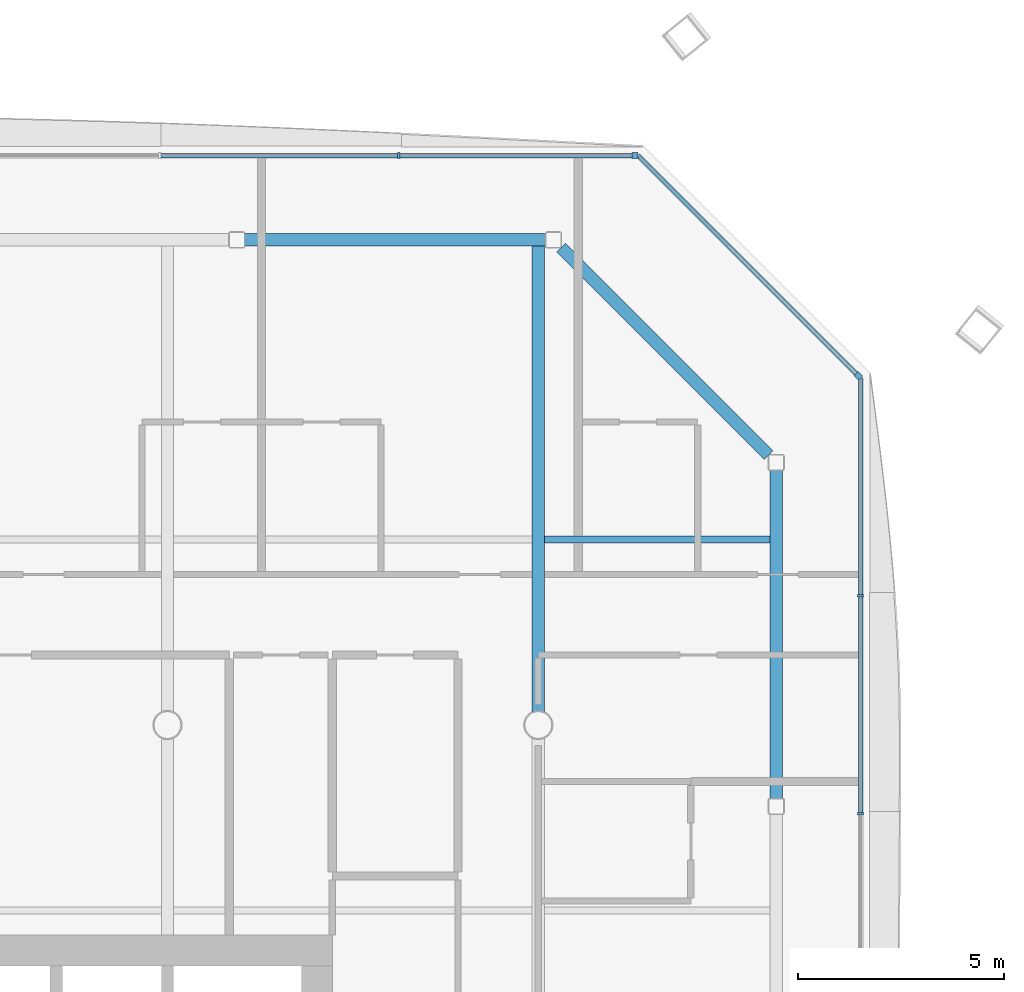
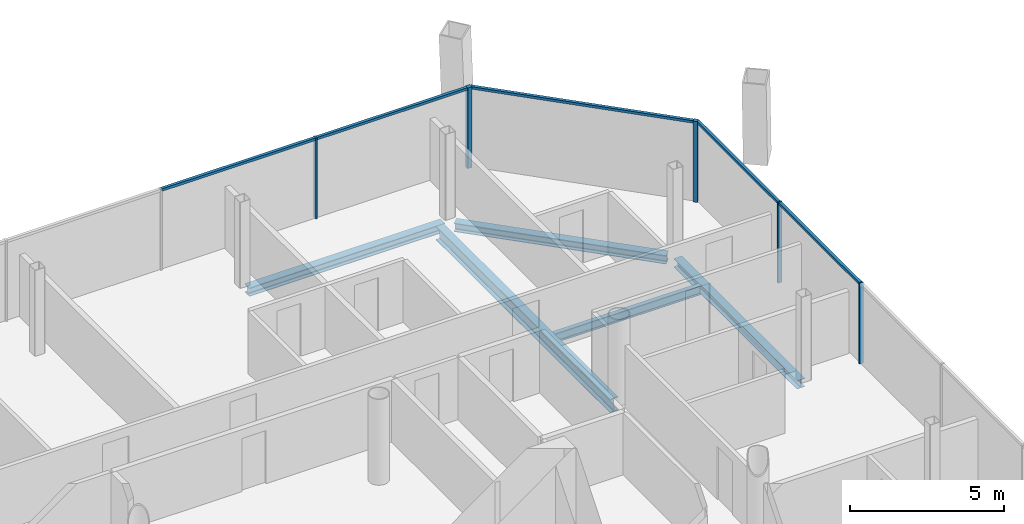
# One storey, part 10 of 21: 10 members, 5 beams, 3 elements without a shape of their own.
"""IFC4 building model written with IfcOpenShell, lengths in metres."""

import ifcopenshell
import ifcopenshell.guid

model = None  # the IFC model being written
_history = None  # IfcOwnerHistory: only IFC2X3 demands one
_inside = {}  # id of a spatial element -> (the spatial element, [elements in it])
_under = {}  # id of a project, library or spatial element -> (it, [spatial elements below it])
_declared = {}  # id of a project -> (the project, [libraries it declares])
_typed = {}  # id of a type object -> (the type object, [elements of that type])
_made_of = {}  # id of a material, layer set ... -> (it, [elements and type objects made of it])


def new_model(schema):
    """Start an empty IFC model of exactly this schema.

    Asked for "IFC4X3", IfcOpenShell would pick the latest addendum, in which some entities
    have other attributes; the version numbers below select the first issue.
    IFC2X3 requires an IfcOwnerHistory on every rooted entity: one is made here for all.
    """
    global model, _history
    if schema == "IFC4X3":
        model = ifcopenshell.file(schema_version=(4, 3, 0, 0))
    else:
        model = ifcopenshell.file(schema=schema)
    _inside.clear()
    _under.clear()
    _declared.clear()
    _typed.clear()
    _made_of.clear()
    _history = None
    if model.schema == "IFC2X3":
        org = make("IfcOrganization", Name="unknown")
        user = make(
            "IfcPersonAndOrganization",
            ThePerson=make("IfcPerson", FamilyName="unknown"),
            TheOrganization=org,
        )
        app = make(
            "IfcApplication",
            ApplicationDeveloper=org,
            Version="unknown",
            ApplicationFullName="unknown",
            ApplicationIdentifier="unknown",
        )
        _history = make(
            "IfcOwnerHistory",
            OwningUser=user,
            OwningApplication=app,
            ChangeAction="ADDED",
            CreationDate=0,
        )
    return model


def make(cls, **values):
    """One entity of the class cls with the attributes given. An attribute that is None is left unset."""
    return model.create_entity(
        cls, **{name: value for name, value in values.items() if value is not None}
    )


def rooted(cls, **values):
    """An entity with a GlobalId (a new one), such as an element, a storey or a relation."""
    return make(cls, GlobalId=ifcopenshell.guid.new(), OwnerHistory=_history, **values)


def si_unit(unit_type, name, prefix=None):
    """IfcSIUnit, for example si_unit("LENGTHUNIT", "METRE", prefix="MILLI")."""
    return make("IfcSIUnit", UnitType=unit_type, Prefix=prefix, Name=name)


def assignment(units):
    """IfcUnitAssignment: the units of a project."""
    return None if units is None else make("IfcUnitAssignment", Units=units)


def point(xyz):
    """IfcCartesianPoint."""
    return None if xyz is None else make("IfcCartesianPoint", Coordinates=xyz)


def direction(xyz):
    """IfcDirection."""
    return None if xyz is None else make("IfcDirection", DirectionRatios=xyz)


def frame(location, z_axis=None, x_axis=None):
    """IfcAxis2Placement3D, a coordinate frame: its origin and axes. An axis left out is left unset."""
    return make(
        "IfcAxis2Placement3D",
        Location=point(location),
        Axis=direction(z_axis),
        RefDirection=direction(x_axis),
    )


def frame_2d(location, x_axis=None):
    """IfcAxis2Placement2D, a coordinate frame in the plane: its origin and x axis."""
    return make(
        "IfcAxis2Placement2D", Location=point(location), RefDirection=direction(x_axis)
    )


def origin():
    """The frame at (0, 0, 0) with its axes left unset."""
    return frame((0.0, 0.0, 0.0))


def origin_2d():
    """The frame at (0, 0) in the plane with its x axis left unset."""
    return frame_2d((0.0, 0.0))


def place(relative_to, where):
    """IfcLocalPlacement: puts the frame where relative to a parent placement (None: the world)."""
    return make(
        "IfcLocalPlacement", PlacementRelTo=relative_to, RelativePlacement=where
    )


def context(
    kind, dimensions, precision=None, world=None, true_north=None, identifier=None
):
    """IfcGeometricRepresentationContext, for example the 3D "Model" context."""
    return make(
        "IfcGeometricRepresentationContext",
        ContextIdentifier=identifier,
        ContextType=kind,
        CoordinateSpaceDimension=dimensions,
        Precision=precision,
        WorldCoordinateSystem=world,
        TrueNorth=true_north,
    )


def subcontext(parent, identifier, kind, view, scale=None):
    """IfcGeometricRepresentationSubContext, for example "Body" below "Model"."""
    return make(
        "IfcGeometricRepresentationSubContext",
        ContextIdentifier=identifier,
        ContextType=kind,
        ParentContext=parent,
        TargetScale=scale,
        TargetView=view,
    )


def project(units=None, contexts=None):
    """IfcProject with its units and contexts."""
    return rooted(
        "IfcProject",
        Name="project",
        RepresentationContexts=contexts,
        UnitsInContext=assignment(units),
    )


def spatial(cls, under=None, at=None, **own):
    """A site, building, storey or space (cls), placed at a placement, below another one or the project."""
    s = rooted(cls, ObjectPlacement=at, **own)
    if under is not None:
        _under.setdefault(under.id(), (under, []))[1].append(s)
    return s


def profile(cls, at=None, kind="AREA", **sizes):
    """A parametric profile (cls). Its sizes go by their IFC names, for example OverallWidth=200.0."""
    return make(cls, ProfileType=kind, Position=at, **sizes)


def rectangle(**sizes):
    """IfcRectangleProfileDef."""
    return profile("IfcRectangleProfileDef", **sizes)


def i_section(**sizes):
    """IfcIShapeProfileDef."""
    return profile("IfcIShapeProfileDef", **sizes)


def extrude(swept, where, along, depth):
    """IfcExtrudedAreaSolid: the profile swept, set in the frame where, extruded along a direction by depth."""
    return make(
        "IfcExtrudedAreaSolid",
        SweptArea=swept,
        Position=where,
        ExtrudedDirection=direction(along),
        Depth=depth,
    )


def shape(context_of_items, identifier, shape_type, items):
    """IfcShapeRepresentation: the items that make up one representation, for example the "Body"."""
    return make(
        "IfcShapeRepresentation",
        ContextOfItems=context_of_items,
        RepresentationIdentifier=identifier,
        RepresentationType=shape_type,
        Items=items,
    )


def material(Name=None, Category=None):
    """IfcMaterial."""
    return make("IfcMaterial", Name=Name, Category=Category)


def material_profile(
    of_material, cross_section, Name=None, Category=None, Priority=None
):
    """IfcMaterialProfile: a cross section and its material."""
    return make(
        "IfcMaterialProfile",
        Name=Name,
        Material=of_material,
        Profile=cross_section,
        Priority=Priority,
        Category=Category,
    )


def profile_set(profiles, Name=None, composite=None):
    """IfcMaterialProfileSet."""
    return make(
        "IfcMaterialProfileSet",
        Name=Name,
        MaterialProfiles=profiles,
        CompositeProfile=composite,
    )


def made_of(thing, what):
    """Note that an element or type object is made of a material, layer set ...; save() writes the relation."""
    if what is not None:
        _made_of.setdefault(what.id(), (what, []))[1].append(thing)
    return thing


def type_object(cls, material=None, **own):
    """A type object (cls), such as IfcWallType, which elements share."""
    return made_of(rooted(cls, **own), material)


def element(
    cls,
    number,
    at=None,
    inside=None,
    cuts=None,
    type_object=None,
    material=None,
    context=None,
    identifier="Body",
    shape_type=None,
    held_by="IfcProductDefinitionShape",
    body=None,
    shapes=None,
    **own,
):
    """One element of the class cls, such as IfcWall. Its Tag is "e" and its number.

    at: its placement. inside: the storey or other place that contains it. cuts: it is an
    opening in that element (IfcRelVoidsElement). A single representation is given by context,
    identifier, shape_type and body (its items); several are given by shapes. held_by: the class
    of the entity that holds the representations. save() writes the other relations.
    """
    e = rooted(cls, Tag="e%d" % number, ObjectPlacement=at, **own)
    if body is not None:
        shapes = [shape(context, identifier, shape_type, body)]
    if shapes is not None:
        e.Representation = make(held_by, Representations=shapes)
    if inside is not None:
        _inside.setdefault(inside.id(), (inside, []))[1].append(e)
    if cuts is not None:
        rooted(
            "IfcRelVoidsElement", RelatingBuildingElement=cuts, RelatedOpeningElement=e
        )
    if type_object is not None:
        _typed.setdefault(type_object.id(), (type_object, []))[1].append(e)
    return made_of(e, material)


def aggregate(whole, parts):
    """IfcRelAggregates: a whole, such as a stair, and the parts it consists of."""
    return rooted("IfcRelAggregates", RelatingObject=whole, RelatedObjects=parts)


def save(model, path):
    """Write the relations noted so far, then the file.

    IfcRelAggregates (storeys below a building ...), IfcRelContainedInSpatialStructure (elements
    in a storey), IfcRelDefinesByType, IfcRelAssociatesMaterial and IfcRelDeclares: one each for
    every whole, place, type object, material and project.
    """
    for whole, parts in _under.values():
        aggregate(whole, parts)
    for where, things in _inside.values():
        rooted(
            "IfcRelContainedInSpatialStructure",
            RelatedElements=things,
            RelatingStructure=where,
        )
    for kind, things in _typed.values():
        rooted("IfcRelDefinesByType", RelatedObjects=things, RelatingType=kind)
    for what, things in _made_of.values():
        rooted("IfcRelAssociatesMaterial", RelatedObjects=things, RelatingMaterial=what)
    for by, libraries in _declared.values():
        rooted("IfcRelDeclares", RelatingContext=by, RelatedDefinitions=libraries)
    model.write(path)


model = new_model("IFC4")

# Units and contexts
model_context = context("Model", 3, precision=1e-05, world=origin(), true_north=direction((0.0, 1.0)))
body_context = subcontext(model_context, "Body", "Model", "MODEL_VIEW")
ifc_project = project(units=[si_unit("LENGTHUNIT", "METRE"), si_unit("AREAUNIT", "SQUARE_METRE"), si_unit("VOLUMEUNIT", "CUBIC_METRE"), si_unit("PLANEANGLEUNIT", "RADIAN"), si_unit("MASSUNIT", "GRAM", prefix="KILO")], contexts=[model_context])

# Site, building, storey
site_placement = place(None, origin())
site = spatial("IfcSite", under=ifc_project, at=site_placement, CompositionType="ELEMENT")
building_placement = place(site_placement, origin())
building = spatial("IfcBuilding", under=site, at=building_placement, Name="Tskaro Facet Tower", CompositionType="ELEMENT")
storey_placement = place(building_placement, frame((0.0, 0.0, 135.10009765625)))
storey = spatial("IfcBuildingStorey", under=building, at=storey_placement, Name="L32", CompositionType="ELEMENT", Elevation=135.10009765625)

# Curtain wall, member
ifc_material_1 = material(Name="Bronze anodised aluminium 6063-T6", Category="aluminium")
curtain_wall_type = type_object("IfcCurtainWallType", Name="Bronze hotel curtain wall (FW2)", PredefinedType="NOTDEFINED", material=ifc_material_1)
curtain_wall_1_placement = place(storey_placement, origin())
curtain_wall_1 = element("IfcCurtainWall", 1, at=curtain_wall_1_placement, inside=storey, type_object=curtain_wall_type, Name="FW2 north-east facet L32", PredefinedType="NOTDEFINED")
ifc_material_profile_1 = material_profile(ifc_material_1, rectangle(XDim=0.14990234375, YDim=0.14990234375, at=origin_2d()), Name="Corner post 150x150")
ifc_profile_set_1 = profile_set([ifc_material_profile_1], Name="Bronze anodised aluminium 6063-T6")
member_type_1 = type_object("IfcMemberType", Name="FW2 bronze corner post 150x150", PredefinedType="MULLION", material=ifc_profile_set_1)
member_1_placement = place(storey_placement, frame((25.766845703125, 17.47509765625, 0.0), z_axis=(0.0, 0.0, 1.0), x_axis=(-0.707106781187, 0.707106781187, 0.0)))
member_1 = element("IfcMember", 2, at=member_1_placement, type_object=member_type_1, Name="FW2 north-east corner post", PredefinedType="MULLION", context=body_context, shape_type="SweptSolid", body=[
    extrude(rectangle(XDim=0.14990234375, YDim=0.14990234375, at=origin_2d()), origin(), (0.0, 0.0, 1.0), 3.199951171875),
])

curtain_wall_2_placement = place(storey_placement, origin())
curtain_wall_2 = element("IfcCurtainWall", 3, at=curtain_wall_2_placement, inside=storey, type_object=curtain_wall_type, Name="FW2 north facet L32", PredefinedType="NOTDEFINED")
member_2_placement = place(storey_placement, frame((20.346923828125, 22.820068359375, 0.0), z_axis=(0.0, 0.0, 1.0), x_axis=(-1.0, 0.0, 0.0)))
member_2 = element("IfcMember", 4, at=member_2_placement, type_object=member_type_1, Name="FW2 north corner post", PredefinedType="MULLION", context=body_context, shape_type="SweptSolid", body=[
    extrude(rectangle(XDim=0.14990234375, YDim=0.14990234375, at=origin_2d()), origin(), (0.0, 0.0, 1.0), 3.199951171875),
])

# Curtain wall, members
curtain_wall_3_placement = place(storey_placement, origin())
curtain_wall_3 = element("IfcCurtainWall", 5, at=curtain_wall_3_placement, inside=storey, type_object=curtain_wall_type, Name="FW2 east facet L32", PredefinedType="NOTDEFINED")
ifc_material_profile_2 = material_profile(ifc_material_1, rectangle(XDim=0.06005859375, YDim=0.14990234375, at=origin_2d()), Name="Mullion 60x150")
ifc_profile_set_2 = profile_set([ifc_material_profile_2], Name="Bronze anodised aluminium 6063-T6")
member_type_2 = type_object("IfcMemberType", Name="FW2 bronze mullion 60x150", PredefinedType="MULLION", material=ifc_profile_set_2)
member_3_placement = place(storey_placement, frame((25.820068359375, 6.851806640625, 0.0), z_axis=(0.0, 0.0, 1.0), x_axis=(0.0, 1.0, 0.0)))
member_3 = element("IfcMember", 6, at=member_3_placement, type_object=member_type_2, Name="FW2 east mullion 5", PredefinedType="MULLION", context=body_context, shape_type="SweptSolid", body=[
    extrude(rectangle(XDim=0.06005859375, YDim=0.14990234375, at=origin_2d()), origin(), (0.0, 0.0, 1.0), 3.199951171875),
])
member_4_placement = place(storey_placement, frame((25.820068359375, 12.136962890625, 0.0), z_axis=(0.0, 0.0, 1.0), x_axis=(0.0, 1.0, 0.0)))
member_4 = element("IfcMember", 7, at=member_4_placement, type_object=member_type_2, Name="FW2 east mullion 6", PredefinedType="MULLION", context=body_context, shape_type="SweptSolid", body=[
    extrude(rectangle(XDim=0.06005859375, YDim=0.14990234375, at=origin_2d()), origin(), (0.0, 0.0, 1.0), 3.199951171875),
])

# Member
member_5_placement = place(storey_placement, frame((14.61474609375, 22.820068359375, 0.0), z_axis=(0.0, 0.0, 1.0), x_axis=(-1.0, 0.0, 0.0)))
member_5 = element("IfcMember", 8, at=member_5_placement, type_object=member_type_2, Name="FW2 north mullion 1", PredefinedType="MULLION", context=body_context, shape_type="SweptSolid", body=[
    extrude(rectangle(XDim=0.06005859375, YDim=0.14990234375, at=origin_2d()), origin(), (0.0, 0.0, 1.0), 3.199951171875),
])

ifc_material_profile_3 = material_profile(ifc_material_1, rectangle(XDim=0.110107421875, YDim=0.10009765625, at=origin_2d()), Name="Transom 110x100")
ifc_profile_set_3 = profile_set([ifc_material_profile_3], Name="Bronze anodised aluminium 6063-T6")
member_type_3 = type_object("IfcMemberType", Name="FW2 bronze transom 110x100", PredefinedType="USERDEFINED", material=ifc_profile_set_3)
member_6_placement = place(storey_placement, frame((25.820068359375, 6.8818359375, 3.14990234375), z_axis=(0.0, 1.0, 0.0), x_axis=(-1.0, 0.0, 0.0)))
member_6 = element("IfcMember", 9, at=member_6_placement, type_object=member_type_3, Name="FW2 east transom 6.1", ObjectType="TRANSOM", PredefinedType="USERDEFINED", context=body_context, shape_type="SweptSolid", body=[
    extrude(rectangle(XDim=0.110107421875, YDim=0.10009765625, at=origin_2d()), origin(), (0.0, 0.0, 1.0), 5.22509765625),
])

member_7_placement = place(storey_placement, frame((25.820068359375, 12.166748046875, 3.14990234375), z_axis=(0.0, 1.0, 0.0), x_axis=(-1.0, 0.0, 0.0)))
member_7 = element("IfcMember", 10, at=member_7_placement, type_object=member_type_3, Name="FW2 east transom 7.1", ObjectType="TRANSOM", PredefinedType="USERDEFINED", context=body_context, shape_type="SweptSolid", body=[
    extrude(rectangle(XDim=0.110107421875, YDim=0.10009765625, at=origin_2d()), origin(), (0.0, 0.0, 1.0), 5.25537109375),
])

aggregate(curtain_wall_3, [member_3, member_4, member_6, member_7])

member_8_placement = place(storey_placement, frame((25.7138671875, 17.528076171875, 3.14990234375), z_axis=(-0.7070904698, 0.707123092197, 0.0), x_axis=(-0.707123092197, -0.7070904698, 0.0)))
member_8 = element("IfcMember", 11, at=member_8_placement, type_object=member_type_3, Name="FW2 north-east transom 1.1", ObjectType="TRANSOM", PredefinedType="USERDEFINED", context=body_context, shape_type="SweptSolid", body=[
    extrude(rectangle(XDim=0.110107421875, YDim=0.10009765625, at=origin_2d()), origin(), (0.0, 0.0, 1.0), 7.48388671875),
])

aggregate(curtain_wall_1, [member_1, member_8])

member_9_placement = place(storey_placement, frame((20.27197265625, 22.820068359375, 3.14990234375), z_axis=(-1.0, 0.0, 0.0), x_axis=(0.0, -1.0, 0.0)))
member_9 = element("IfcMember", 12, at=member_9_placement, type_object=member_type_3, Name="FW2 north transom 1.1", ObjectType="TRANSOM", PredefinedType="USERDEFINED", context=body_context, shape_type="SweptSolid", body=[
    extrude(rectangle(XDim=0.110107421875, YDim=0.10009765625, at=origin_2d()), origin(), (0.0, 0.0, 1.0), 5.627197265625),
])

member_10_placement = place(storey_placement, frame((14.584716796875, 22.820068359375, 3.14990234375), z_axis=(-1.0, 0.0, 0.0), x_axis=(0.0, -1.0, 0.0)))
member_10 = element("IfcMember", 13, at=member_10_placement, type_object=member_type_3, Name="FW2 north transom 2.1", ObjectType="TRANSOM", PredefinedType="USERDEFINED", context=body_context, shape_type="SweptSolid", body=[
    extrude(rectangle(XDim=0.110107421875, YDim=0.10009765625, at=origin_2d()), origin(), (0.0, 0.0, 1.0), 5.747314453125),
])

aggregate(curtain_wall_2, [member_2, member_5, member_9, member_10])

# Beams
ifc_material_2 = material(Name="Steel S355J2", Category="steel")
ifc_material_profile_4 = material_profile(ifc_material_2, i_section(OverallWidth=0.300048828125, OverallDepth=0.340087890625, WebThickness=0.011962890625, FlangeThickness=0.021484375, FilletRadius=0.027099609375, at=origin_2d()), Name="HE 340 B")
ifc_profile_set_4 = profile_set([ifc_material_profile_4], Name="Steel S355J2")
beam_type_1 = type_object("IfcBeamType", Name="HE 340 B ring beam", PredefinedType="BEAM", material=ifc_profile_set_4)
beam_1_placement = place(storey_placement, frame((23.77392578125, 7.2060546875, -0.31005859375), z_axis=(0.0, 1.0, 0.0), x_axis=(-1.0, 0.0, 0.0)))
element("IfcBeam", 14, at=beam_1_placement, inside=storey, type_object=beam_type_1, Name="HE 340 B EB9-3", PredefinedType="BEAM", context=body_context, shape_type="SweptSolid", body=[
    extrude(i_section(OverallWidth=0.300048828125, OverallDepth=0.340087890625, WebThickness=0.011962890625, FlangeThickness=0.021484375, FilletRadius=0.027099609375, at=origin_2d()), origin(), (0.0, 0.0, 1.0), 7.98193359375),
])
beam_2_placement = place(storey_placement, frame((23.588134765625, 15.553955078125, -0.31005859375), z_axis=(-0.707106781187, 0.707106781187, 0.0), x_axis=(-0.707106781187, -0.707106781187, 0.0)))
element("IfcBeam", 15, at=beam_2_placement, inside=storey, type_object=beam_type_1, Name="HE 340 B EB10-3", PredefinedType="BEAM", context=body_context, shape_type="SweptSolid", body=[
    extrude(i_section(OverallWidth=0.300048828125, OverallDepth=0.340087890625, WebThickness=0.011962890625, FlangeThickness=0.021484375, FilletRadius=0.027099609375, at=origin_2d()), origin(), (0.0, 0.0, 1.0), 7.119384765625),
])
beam_3_placement = place(storey_placement, frame((18.18798828125, 20.77392578125, -0.31005859375), z_axis=(-1.0, 0.0, 0.0), x_axis=(0.0, -1.0, 0.0)))
element("IfcBeam", 16, at=beam_3_placement, inside=storey, type_object=beam_type_1, Name="HE 340 B EB11-3", PredefinedType="BEAM", context=body_context, shape_type="SweptSolid", body=[
    extrude(i_section(OverallWidth=0.300048828125, OverallDepth=0.340087890625, WebThickness=0.011962890625, FlangeThickness=0.021484375, FilletRadius=0.027099609375, at=origin_2d()), origin(), (0.0, 0.0, 1.0), 7.323974609375),
])
ifc_material_profile_5 = material_profile(ifc_material_2, i_section(OverallWidth=0.300048828125, OverallDepth=0.5400390625, WebThickness=0.012451171875, FlangeThickness=0.02392578125, FilletRadius=0.027099609375, at=origin_2d()), Name="HE 550 A")
ifc_profile_set_5 = profile_set([ifc_material_profile_5], Name="Steel S355J2")
beam_type_2 = type_object("IfcBeamType", Name="HE 550 A long girder", PredefinedType="BEAM", material=ifc_profile_set_5)
beam_4_placement = place(storey_placement, frame((18.0, 9.325439453125, -0.41015625), z_axis=(0.0, 1.0, 0.0), x_axis=(-1.0, 0.0, 0.0)))
element("IfcBeam", 17, at=beam_4_placement, inside=storey, type_object=beam_type_2, Name="HE 550 A LGB6-4-3", PredefinedType="BEAM", context=body_context, shape_type="SweptSolid", body=[
    extrude(i_section(OverallWidth=0.300048828125, OverallDepth=0.5400390625, WebThickness=0.012451171875, FlangeThickness=0.02392578125, FilletRadius=0.027099609375, at=origin_2d()), origin(), (0.0, 0.0, 1.0), 11.298583984375),
])
ifc_material_profile_6 = material_profile(ifc_material_2, i_section(OverallWidth=0.169921875, OverallDepth=0.360107421875, WebThickness=0.008056640625, FlangeThickness=0.0126953125, FilletRadius=0.01806640625, at=origin_2d()), Name="IPE 360")
ifc_profile_set_6 = profile_set([ifc_material_profile_6], Name="Steel S355J2")
beam_type_3 = type_object("IfcBeamType", Name="IPE 360 secondary beam", PredefinedType="BEAM", material=ifc_profile_set_6)
beam_5_placement = place(storey_placement, frame((18.14990234375, 13.5, -0.320068359375), z_axis=(1.0, 0.0, 0.0), x_axis=(0.0, 1.0, 0.0)))
element("IfcBeam", 18, at=beam_5_placement, inside=storey, type_object=beam_type_3, Name="IPE 360 SB5a-5-3", PredefinedType="BEAM", context=body_context, shape_type="SweptSolid", body=[
    extrude(i_section(OverallWidth=0.169921875, OverallDepth=0.360107421875, WebThickness=0.008056640625, FlangeThickness=0.0126953125, FilletRadius=0.01806640625, at=origin_2d()), origin(), (0.0, 0.0, 1.0), 5.47412109375),
])

save(model, "model.ifc")
